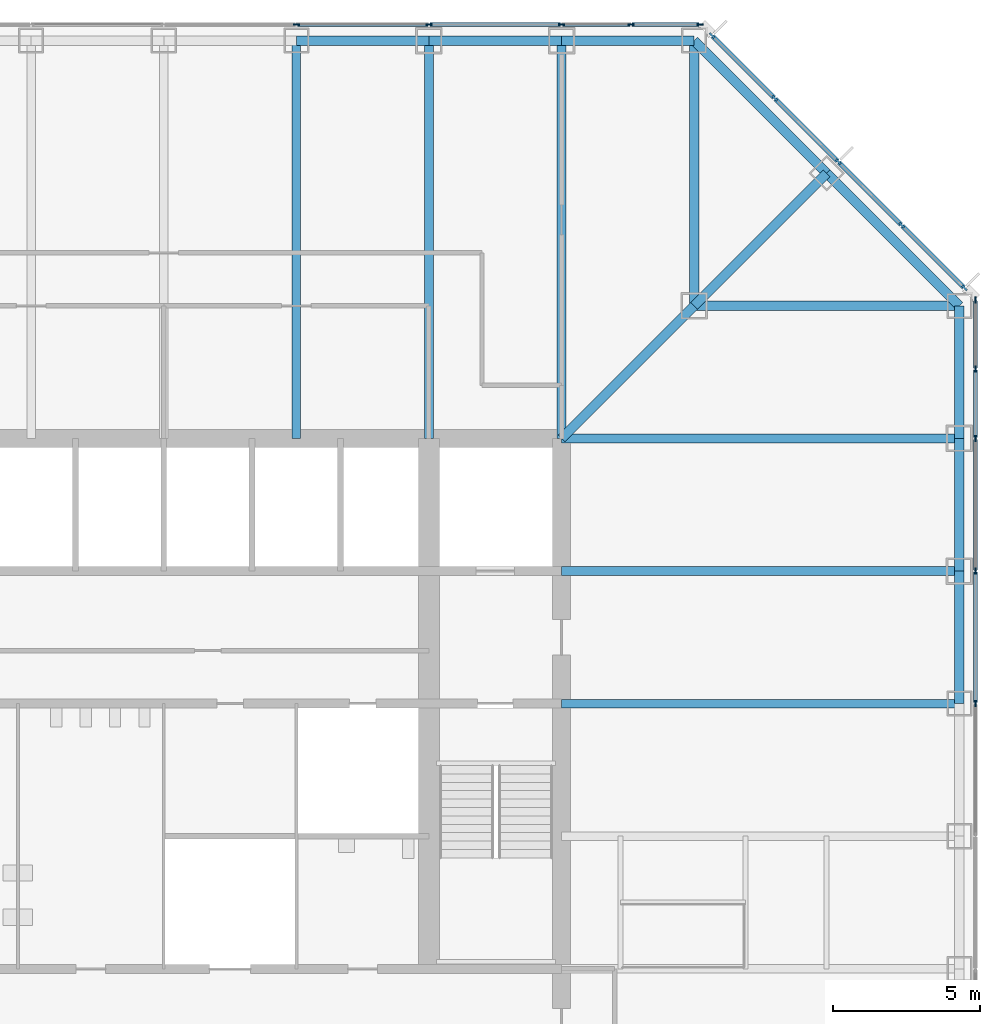
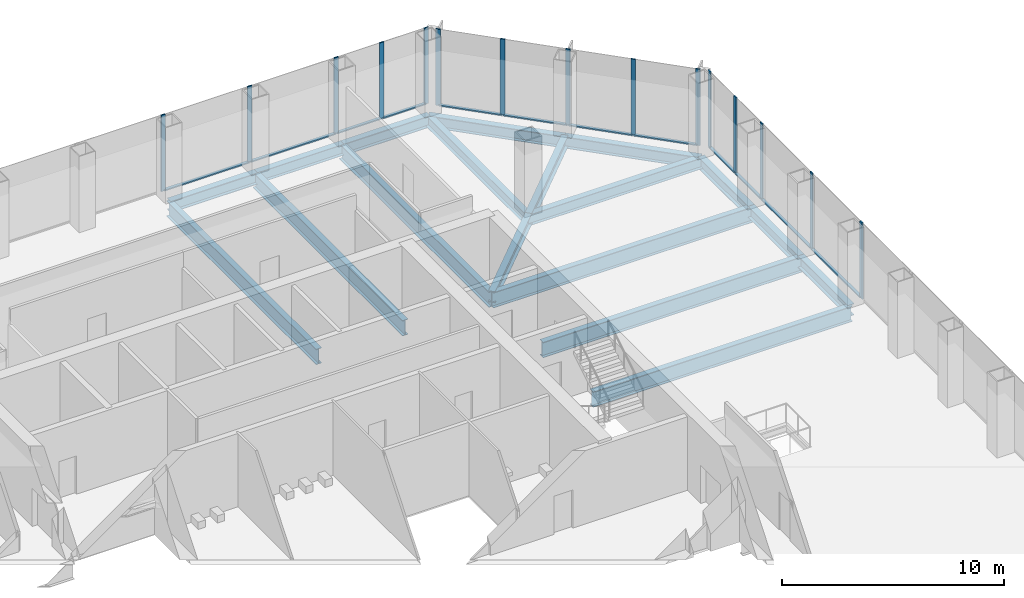
# One storey, part 6 of 12: 27 members, 18 beams, 3 elements without a shape of their own.
"""IFC4 building model written with IfcOpenShell, lengths in metres."""

from ifc_helpers import new_model, si_unit, direction, frame, origin, origin_2d, place, context, subcontext, project, spatial, rectangle, i_section, extrude, material, material_profile, profile_set, type_object, element, aggregate, save


model = new_model("IFC4")

# Units and contexts
model_context = context("Model", 3, precision=1e-05, world=origin(), true_north=direction((0.0, 1.0)))
body_context = subcontext(model_context, "Body", "Model", "MODEL_VIEW")
ifc_project = project(units=[si_unit("LENGTHUNIT", "METRE"), si_unit("AREAUNIT", "SQUARE_METRE"), si_unit("VOLUMEUNIT", "CUBIC_METRE"), si_unit("PLANEANGLEUNIT", "RADIAN"), si_unit("MASSUNIT", "GRAM", prefix="KILO")], contexts=[model_context])

# Site, building, storey
site_placement = place(None, origin())
site = spatial("IfcSite", under=ifc_project, at=site_placement, CompositionType="ELEMENT")
building_placement = place(site_placement, origin())
building = spatial("IfcBuilding", under=site, at=building_placement, Name="Corais Broadcast Tower", CompositionType="ELEMENT")
storey_placement = place(building_placement, frame((0.0, 0.0, 41.60009765625)))
storey = spatial("IfcBuildingStorey", under=building, at=storey_placement, Name="L08", CompositionType="ELEMENT", Elevation=41.60009765625)

# Beams
ifc_material_1 = material(Name="Steel ASTM A572 Grade 50", Category="steel")
ifc_material_profile_1 = material_profile(ifc_material_1, i_section(OverallWidth=0.323974609375, OverallDepth=0.611083984375, WebThickness=0.0126953125, FlangeThickness=0.01904296875, at=origin_2d()), Name="W610x155")
ifc_profile_set_1 = profile_set([ifc_material_profile_1], Name="Steel ASTM A572 Grade 50")
beam_type_1 = type_object("IfcBeamType", Name="Chamfer tie W610x155", PredefinedType="BEAM", material=ifc_profile_set_1)
beam_1_placement = place(storey_placement, frame((49.5, 49.5, -0.465576171875), z_axis=(-0.707106781187, -0.707106781187, 0.0), x_axis=(0.707106781187, -0.707106781187, 0.0)))
element("IfcBeam", 1, at=beam_1_placement, inside=storey, type_object=beam_type_1, Name="B5 M/14 to L/13", PredefinedType="BEAM", context=body_context, shape_type="SweptSolid", body=[
    extrude(i_section(OverallWidth=0.323974609375, OverallDepth=0.611083984375, WebThickness=0.0126953125, FlangeThickness=0.01904296875, at=origin_2d()), origin(), (0.0, 0.0, 1.0), 6.364013671875),
])
ifc_material_2 = material(Name="Steel ASTM A572 Grade 50", Category="steel")
ifc_material_profile_2 = material_profile(ifc_material_2, i_section(OverallWidth=0.323974609375, OverallDepth=0.611083984375, WebThickness=0.0126953125, FlangeThickness=0.01904296875, at=origin_2d()), Name="W610x155")
ifc_profile_set_2 = profile_set([ifc_material_profile_2], Name="Steel ASTM A572 Grade 50")
beam_type_2 = type_object("IfcBeamType", Name="Corner diagonal W610x155", PredefinedType="BEAM", material=ifc_profile_set_2)
beam_2_placement = place(storey_placement, frame((45.0, 45.0, -0.465576171875), z_axis=(-0.707106781187, -0.707106781187, 0.0), x_axis=(0.707106781187, -0.707106781187, 0.0)))
element("IfcBeam", 2, at=beam_2_placement, inside=storey, type_object=beam_type_2, Name="B6 L/13 to K/12", PredefinedType="BEAM", context=body_context, shape_type="SweptSolid", body=[
    extrude(i_section(OverallWidth=0.323974609375, OverallDepth=0.611083984375, WebThickness=0.0126953125, FlangeThickness=0.01904296875, at=origin_2d()), origin(), (0.0, 0.0, 1.0), 6.364013671875),
])
ifc_material_3 = material(Name="Steel ASTM A572 Grade 50", Category="steel")
ifc_material_profile_3 = material_profile(ifc_material_3, i_section(OverallWidth=0.323974609375, OverallDepth=0.611083984375, WebThickness=0.0126953125, FlangeThickness=0.01904296875, at=origin_2d()), Name="W610x155")
ifc_profile_set_3 = profile_set([ifc_material_profile_3], Name="Steel ASTM A572 Grade 50")
beam_type_3 = type_object("IfcBeamType", Name="Corner girder W610x155", PredefinedType="BEAM", material=ifc_profile_set_3)
for number, where, z_axis, x_axis, name in (
    (3, (45.0, 54.0, -0.465576171875), (0.0, -1.0, 0.0), (1.0, 0.0, 0.0), "B4 N/13 to L/13"),
    (4, (54.0, 45.0, -0.465576171875), (-1.0, 0.0, 0.0), (0.0, -1.0, 0.0), "B4 L/15 to L/13"),
):
    element("IfcBeam", number, at=place(storey_placement, frame(where, z_axis=z_axis, x_axis=x_axis)), inside=storey, type_object=beam_type_3, Name=name, PredefinedType="BEAM", context=body_context, shape_type="SweptSolid", body=[
        extrude(i_section(OverallWidth=0.323974609375, OverallDepth=0.611083984375, WebThickness=0.0126953125, FlangeThickness=0.01904296875, at=origin_2d()), origin(), (0.0, 0.0, 1.0), 9.0),
    ])
ifc_material_4 = material(Name="Steel ASTM A572 Grade 50", Category="steel")
ifc_material_profile_4 = material_profile(ifc_material_4, i_section(OverallWidth=0.2939453125, OverallDepth=0.85107421875, WebThickness=0.01611328125, FlangeThickness=0.02685546875, at=origin_2d()), Name="W840x226")
ifc_profile_set_4 = profile_set([ifc_material_profile_4], Name="Steel ASTM A572 Grade 50")
beam_type_4 = type_object("IfcBeamType", Name="Floor beam W840x226", PredefinedType="BEAM", material=ifc_profile_set_4)
for number, where, z_axis, x_axis, name in (
    (5, (31.5, 54.0, -0.585693359375), (0.0, -1.0, 0.0), (1.0, 0.0, 0.0), "B1 N/10 to K/10"),
    (6, (36.0, 54.0, -0.585693359375), (0.0, -1.0, 0.0), (1.0, 0.0, 0.0), "B1 N/11 to K/11"),
    (7, (40.5, 54.0, -0.585693359375), (0.0, -1.0, 0.0), (1.0, 0.0, 0.0), "B1 N/12 to K/12"),
    (8, (54.0, 31.5, -0.585693359375), (-1.0, 0.0, 0.0), (0.0, -1.0, 0.0), "B1 H/15 to H/12"),
    (9, (54.0, 36.0, -0.585693359375), (-1.0, 0.0, 0.0), (0.0, -1.0, 0.0), "B1 J/15 to J/12"),
    (10, (54.0, 40.5, -0.585693359375), (-1.0, 0.0, 0.0), (0.0, -1.0, 0.0), "B1 K/15 to K/12"),
):
    element("IfcBeam", number, at=place(storey_placement, frame(where, z_axis=z_axis, x_axis=x_axis)), inside=storey, type_object=beam_type_4, Name=name, PredefinedType="BEAM", context=body_context, shape_type="SweptSolid", body=[
        extrude(i_section(OverallWidth=0.2939453125, OverallDepth=0.85107421875, WebThickness=0.01611328125, FlangeThickness=0.02685546875, at=origin_2d()), origin(), (0.0, 0.0, 1.0), 13.5),
    ])

# Curtain wall, members
ifc_material_5 = material(Name="Aluminium and glass", Category="aluminium")
curtain_wall_type = type_object("IfcCurtainWallType", Name="Newsroom clear-glass curtain wall CW7", PredefinedType="NOTDEFINED", material=ifc_material_5)
curtain_wall_1_placement = place(storey_placement, origin())
curtain_wall_1 = element("IfcCurtainWall", 11, at=curtain_wall_1_placement, inside=storey, type_object=curtain_wall_type, Name="CW7 curtain wall L08 4", PredefinedType="NOTDEFINED")
ifc_material_6 = material(Name="Aluminium 6063-T6", Category="aluminium")
ifc_material_profile_5 = material_profile(ifc_material_6, rectangle(XDim=0.06494140625, YDim=0.219970703125, at=origin_2d()), Name="Mullion CW7 65x220")
ifc_profile_set_5 = profile_set([ifc_material_profile_5], Name="Aluminium 6063-T6")
member_type_1 = type_object("IfcMemberType", Name="Mullion CW7 65x220", PredefinedType="MULLION", material=ifc_profile_set_5)
member_1_placement = place(storey_placement, frame((31.5, 54.550048828125, 0.0), z_axis=(0.0, 0.0, 1.0), x_axis=(0.0, 1.0, 0.0)))
member_1 = element("IfcMember", 12, at=member_1_placement, type_object=member_type_1, Name="CW7 mullion 7", PredefinedType="MULLION", context=body_context, shape_type="SweptSolid", body=[
    extrude(rectangle(XDim=0.06494140625, YDim=0.219970703125, at=origin_2d()), origin(), (0.0, 0.0, 1.0), 4.199951171875),
])
member_2_placement = place(storey_placement, frame((36.0, 54.550048828125, 0.0), z_axis=(0.0, 0.0, 1.0), x_axis=(0.0, 1.0, 0.0)))
member_2 = element("IfcMember", 13, at=member_2_placement, type_object=member_type_1, Name="CW7 mullion 8", PredefinedType="MULLION", context=body_context, shape_type="SweptSolid", body=[
    extrude(rectangle(XDim=0.06494140625, YDim=0.219970703125, at=origin_2d()), origin(), (0.0, 0.0, 1.0), 4.199951171875),
])
member_3_placement = place(storey_placement, frame((40.5, 54.550048828125, 0.0), z_axis=(0.0, 0.0, 1.0), x_axis=(0.0, 1.0, 0.0)))
member_3 = element("IfcMember", 14, at=member_3_placement, type_object=member_type_1, Name="CW7 mullion 9", PredefinedType="MULLION", context=body_context, shape_type="SweptSolid", body=[
    extrude(rectangle(XDim=0.06494140625, YDim=0.219970703125, at=origin_2d()), origin(), (0.0, 0.0, 1.0), 4.199951171875),
])
member_4_placement = place(storey_placement, frame((42.864013671875, 54.550048828125, 0.0), z_axis=(0.0, 0.0, 1.0), x_axis=(0.0, 1.0, 0.0)))
member_4 = element("IfcMember", 15, at=member_4_placement, type_object=member_type_1, Name="CW7 mullion 10", PredefinedType="MULLION", context=body_context, shape_type="SweptSolid", body=[
    extrude(rectangle(XDim=0.06494140625, YDim=0.219970703125, at=origin_2d()), origin(), (0.0, 0.0, 1.0), 4.199951171875),
])
member_5_placement = place(storey_placement, frame((45.1953125, 54.550048828125, 0.0), z_axis=(0.0, 0.0, 1.0), x_axis=(0.0, 1.0, 0.0)))
member_5 = element("IfcMember", 16, at=member_5_placement, type_object=member_type_1, Name="CW7 mullion 11", PredefinedType="MULLION", context=body_context, shape_type="SweptSolid", body=[
    extrude(rectangle(XDim=0.06494140625, YDim=0.219970703125, at=origin_2d()), origin(), (0.0, 0.0, 1.0), 4.199951171875),
])

curtain_wall_2_placement = place(storey_placement, origin())
curtain_wall_2 = element("IfcCurtainWall", 17, at=curtain_wall_2_placement, inside=storey, type_object=curtain_wall_type, Name="CW7 curtain wall L08 5", PredefinedType="NOTDEFINED")
member_6_placement = place(storey_placement, frame((45.6044921875, 54.17333984375, 0.0), z_axis=(0.0, 0.0, 1.0), x_axis=(0.707106781187, 0.707106781187, 0.0)))
member_6 = element("IfcMember", 18, at=member_6_placement, type_object=member_type_1, Name="CW7 mullion 1", PredefinedType="MULLION", context=body_context, shape_type="SweptSolid", body=[
    extrude(rectangle(XDim=0.06494140625, YDim=0.219970703125, at=origin_2d()), origin(), (0.0, 0.0, 1.0), 4.199951171875),
])
member_7_placement = place(storey_placement, frame((47.735107421875, 52.042724609375, 0.0), z_axis=(0.0, 0.0, 1.0), x_axis=(0.707106781187, 0.707106781187, 0.0)))
member_7 = element("IfcMember", 19, at=member_7_placement, type_object=member_type_1, Name="CW7 mullion 2", PredefinedType="MULLION", context=body_context, shape_type="SweptSolid", body=[
    extrude(rectangle(XDim=0.06494140625, YDim=0.219970703125, at=origin_2d()), origin(), (0.0, 0.0, 1.0), 4.199951171875),
])
member_8_placement = place(storey_placement, frame((49.888916015625, 49.888916015625, 0.0), z_axis=(0.0, 0.0, 1.0), x_axis=(0.707106781187, 0.707106781187, 0.0)))
member_8 = element("IfcMember", 20, at=member_8_placement, type_object=member_type_1, Name="CW7 mullion 3", PredefinedType="MULLION", context=body_context, shape_type="SweptSolid", body=[
    extrude(rectangle(XDim=0.06494140625, YDim=0.219970703125, at=origin_2d()), origin(), (0.0, 0.0, 1.0), 4.199951171875),
])
member_9_placement = place(storey_placement, frame((52.042724609375, 47.735107421875, 0.0), z_axis=(0.0, 0.0, 1.0), x_axis=(0.707106781187, 0.707106781187, 0.0)))
member_9 = element("IfcMember", 21, at=member_9_placement, type_object=member_type_1, Name="CW7 mullion 4", PredefinedType="MULLION", context=body_context, shape_type="SweptSolid", body=[
    extrude(rectangle(XDim=0.06494140625, YDim=0.219970703125, at=origin_2d()), origin(), (0.0, 0.0, 1.0), 4.199951171875),
])
member_10_placement = place(storey_placement, frame((54.17333984375, 45.6044921875, 0.0), z_axis=(0.0, 0.0, 1.0), x_axis=(0.707106781187, 0.707106781187, 0.0)))
member_10 = element("IfcMember", 22, at=member_10_placement, type_object=member_type_1, Name="CW7 mullion 5", PredefinedType="MULLION", context=body_context, shape_type="SweptSolid", body=[
    extrude(rectangle(XDim=0.06494140625, YDim=0.219970703125, at=origin_2d()), origin(), (0.0, 0.0, 1.0), 4.199951171875),
])

curtain_wall_3_placement = place(storey_placement, origin())
curtain_wall_3 = element("IfcCurtainWall", 23, at=curtain_wall_3_placement, inside=storey, type_object=curtain_wall_type, Name="CW7 curtain wall L08 6", PredefinedType="NOTDEFINED")
member_11_placement = place(storey_placement, frame((54.550048828125, 45.1953125, 0.0), z_axis=(0.0, 0.0, 1.0), x_axis=(1.0, 0.0, 0.0)))
member_11 = element("IfcMember", 24, at=member_11_placement, type_object=member_type_1, Name="CW7 mullion 1", PredefinedType="MULLION", context=body_context, shape_type="SweptSolid", body=[
    extrude(rectangle(XDim=0.06494140625, YDim=0.219970703125, at=origin_2d()), origin(), (0.0, 0.0, 1.0), 4.199951171875),
])
member_12_placement = place(storey_placement, frame((54.550048828125, 42.864013671875, 0.0), z_axis=(0.0, 0.0, 1.0), x_axis=(1.0, 0.0, 0.0)))
member_12 = element("IfcMember", 25, at=member_12_placement, type_object=member_type_1, Name="CW7 mullion 2", PredefinedType="MULLION", context=body_context, shape_type="SweptSolid", body=[
    extrude(rectangle(XDim=0.06494140625, YDim=0.219970703125, at=origin_2d()), origin(), (0.0, 0.0, 1.0), 4.199951171875),
])
member_13_placement = place(storey_placement, frame((54.550048828125, 40.5, 0.0), z_axis=(0.0, 0.0, 1.0), x_axis=(1.0, 0.0, 0.0)))
member_13 = element("IfcMember", 26, at=member_13_placement, type_object=member_type_1, Name="CW7 mullion 3", PredefinedType="MULLION", context=body_context, shape_type="SweptSolid", body=[
    extrude(rectangle(XDim=0.06494140625, YDim=0.219970703125, at=origin_2d()), origin(), (0.0, 0.0, 1.0), 4.199951171875),
])
member_14_placement = place(storey_placement, frame((54.550048828125, 36.0, 0.0), z_axis=(0.0, 0.0, 1.0), x_axis=(1.0, 0.0, 0.0)))
member_14 = element("IfcMember", 27, at=member_14_placement, type_object=member_type_1, Name="CW7 mullion 4", PredefinedType="MULLION", context=body_context, shape_type="SweptSolid", body=[
    extrude(rectangle(XDim=0.06494140625, YDim=0.219970703125, at=origin_2d()), origin(), (0.0, 0.0, 1.0), 4.199951171875),
])
member_15_placement = place(storey_placement, frame((54.550048828125, 31.5, 0.0), z_axis=(0.0, 0.0, 1.0), x_axis=(1.0, 0.0, 0.0)))
member_15 = element("IfcMember", 28, at=member_15_placement, type_object=member_type_1, Name="CW7 mullion 5", PredefinedType="MULLION", context=body_context, shape_type="SweptSolid", body=[
    extrude(rectangle(XDim=0.06494140625, YDim=0.219970703125, at=origin_2d()), origin(), (0.0, 0.0, 1.0), 4.199951171875),
])

# Beams
ifc_material_7 = material(Name="Steel ASTM A572 Grade 50", Category="steel")
ifc_material_profile_6 = material_profile(ifc_material_7, i_section(OverallWidth=0.323974609375, OverallDepth=0.611083984375, WebThickness=0.0126953125, FlangeThickness=0.01904296875, at=origin_2d()), Name="W610x155")
ifc_profile_set_6 = profile_set([ifc_material_profile_6], Name="Steel ASTM A572 Grade 50")
beam_type_5 = type_object("IfcBeamType", Name="Pinned spandrel W610x155", PredefinedType="BEAM", material=ifc_profile_set_6)
for number, where, z_axis, x_axis, name in (
    (29, (40.5, 54.0, -0.465576171875), (-1.0, 0.0, 0.0), (0.0, -1.0, 0.0), "SB6 N/12 to N/11"),
    (30, (54.0, 36.0, -0.465576171875), (0.0, 1.0, 0.0), (-1.0, 0.0, 0.0), "SB6 J/15 to K/15"),
):
    element("IfcBeam", number, at=place(storey_placement, frame(where, z_axis=z_axis, x_axis=x_axis)), inside=storey, type_object=beam_type_5, Name=name, PredefinedType="BEAM", context=body_context, shape_type="SweptSolid", body=[
        extrude(i_section(OverallWidth=0.323974609375, OverallDepth=0.611083984375, WebThickness=0.0126953125, FlangeThickness=0.01904296875, at=origin_2d()), origin(), (0.0, 0.0, 1.0), 4.5),
    ])
ifc_material_8 = material(Name="Steel ASTM A572 Grade 50", Category="steel")
ifc_material_profile_7 = material_profile(ifc_material_8, i_section(OverallWidth=0.3291015625, OverallDepth=0.635009765625, WebThickness=0.017822265625, FlangeThickness=0.031005859375, at=origin_2d()), Name="W610x241")
ifc_profile_set_7 = profile_set([ifc_material_profile_7], Name="Steel ASTM A572 Grade 50")
beam_type_6 = type_object("IfcBeamType", Name="Spandrel W610x241", PredefinedType="BEAM", material=ifc_profile_set_7)
for number, where, z_axis, x_axis, name in (
    (31, (36.0, 54.0, -0.4775390625), (-1.0, 0.0, 0.0), (0.0, -1.0, 0.0), "SB1 N/11 to N/10"),
    (32, (45.0, 54.0, -0.4775390625), (-1.0, 0.0, 0.0), (0.0, -1.0, 0.0), "SB1 N/13 to N/12"),
):
    element("IfcBeam", number, at=place(storey_placement, frame(where, z_axis=z_axis, x_axis=x_axis)), inside=storey, type_object=beam_type_6, Name=name, PredefinedType="BEAM", context=body_context, shape_type="SweptSolid", body=[
        extrude(i_section(OverallWidth=0.3291015625, OverallDepth=0.635009765625, WebThickness=0.017822265625, FlangeThickness=0.031005859375, at=origin_2d()), origin(), (0.0, 0.0, 1.0), 4.5),
    ])
beam_3_placement = place(storey_placement, frame((49.5, 49.5, -0.4775390625), z_axis=(-0.707106781187, 0.707106781187, 0.0), x_axis=(-0.707106781187, -0.707106781187, 0.0)))
element("IfcBeam", 33, at=beam_3_placement, inside=storey, type_object=beam_type_6, Name="SB1 M/14 to N/13", PredefinedType="BEAM", context=body_context, shape_type="SweptSolid", body=[
    extrude(i_section(OverallWidth=0.3291015625, OverallDepth=0.635009765625, WebThickness=0.017822265625, FlangeThickness=0.031005859375, at=origin_2d()), origin(), (0.0, 0.0, 1.0), 6.364013671875),
])
for number, where, z_axis, x_axis, name in (
    (34, (54.0, 31.5, -0.4775390625), (0.0, 1.0, 0.0), (-1.0, 0.0, 0.0), "SB1 H/15 to J/15"),
    (35, (54.0, 40.5, -0.4775390625), (0.0, 1.0, 0.0), (-1.0, 0.0, 0.0), "SB1 K/15 to L/15"),
):
    element("IfcBeam", number, at=place(storey_placement, frame(where, z_axis=z_axis, x_axis=x_axis)), inside=storey, type_object=beam_type_6, Name=name, PredefinedType="BEAM", context=body_context, shape_type="SweptSolid", body=[
        extrude(i_section(OverallWidth=0.3291015625, OverallDepth=0.635009765625, WebThickness=0.017822265625, FlangeThickness=0.031005859375, at=origin_2d()), origin(), (0.0, 0.0, 1.0), 4.5),
    ])
beam_4_placement = place(storey_placement, frame((54.0, 45.0, -0.4775390625), z_axis=(-0.707106781187, 0.707106781187, 0.0), x_axis=(-0.707106781187, -0.707106781187, 0.0)))
element("IfcBeam", 36, at=beam_4_placement, inside=storey, type_object=beam_type_6, Name="SB1 L/15 to M/14", PredefinedType="BEAM", context=body_context, shape_type="SweptSolid", body=[
    extrude(i_section(OverallWidth=0.3291015625, OverallDepth=0.635009765625, WebThickness=0.017822265625, FlangeThickness=0.031005859375, at=origin_2d()), origin(), (0.0, 0.0, 1.0), 6.364013671875),
])

# Member
ifc_material_9 = material(Name="Aluminium 6063-T6", Category="aluminium")
ifc_material_profile_8 = material_profile(ifc_material_9, rectangle(XDim=0.14990234375, YDim=0.06494140625, at=origin_2d()), Name="Transom CW7 65x150")
ifc_profile_set_8 = profile_set([ifc_material_profile_8], Name="Aluminium 6063-T6")
member_type_2 = type_object("IfcMemberType", Name="Transom CW7 65x150", PredefinedType="USERDEFINED", material=ifc_profile_set_8)
member_16_placement = place(storey_placement, frame((31.532470703125, 54.550048828125, 0.032470703125), z_axis=(1.0, 0.0, 0.0), x_axis=(0.0, 1.0, 0.0)))
member_16 = element("IfcMember", 37, at=member_16_placement, type_object=member_type_2, Name="CW7 transom 7.1", ObjectType="TRANSOM", PredefinedType="USERDEFINED", context=body_context, shape_type="SweptSolid", body=[
    extrude(rectangle(XDim=0.14990234375, YDim=0.06494140625, at=origin_2d()), origin(), (0.0, 0.0, 1.0), 4.43505859375),
])

member_17_placement = place(storey_placement, frame((36.032470703125, 54.550048828125, 0.032470703125), z_axis=(1.0, 0.0, 0.0), x_axis=(0.0, 1.0, 0.0)))
member_17 = element("IfcMember", 38, at=member_17_placement, type_object=member_type_2, Name="CW7 transom 8.1", ObjectType="TRANSOM", PredefinedType="USERDEFINED", context=body_context, shape_type="SweptSolid", body=[
    extrude(rectangle(XDim=0.14990234375, YDim=0.06494140625, at=origin_2d()), origin(), (0.0, 0.0, 1.0), 4.43505859375),
])

member_18_placement = place(storey_placement, frame((40.532470703125, 54.550048828125, 0.032470703125), z_axis=(1.0, 0.0, 0.0), x_axis=(0.0, 1.0, 0.0)))
member_18 = element("IfcMember", 39, at=member_18_placement, type_object=member_type_2, Name="CW7 transom 9.1", ObjectType="TRANSOM", PredefinedType="USERDEFINED", context=body_context, shape_type="SweptSolid", body=[
    extrude(rectangle(XDim=0.14990234375, YDim=0.06494140625, at=origin_2d()), origin(), (0.0, 0.0, 1.0), 2.298828125),
])

member_19_placement = place(storey_placement, frame((42.896484375, 54.550048828125, 0.032470703125), z_axis=(1.0, 0.0, 0.0), x_axis=(0.0, 1.0, 0.0)))
member_19 = element("IfcMember", 40, at=member_19_placement, type_object=member_type_2, Name="CW7 transom 10.1", ObjectType="TRANSOM", PredefinedType="USERDEFINED", context=body_context, shape_type="SweptSolid", body=[
    extrude(rectangle(XDim=0.14990234375, YDim=0.06494140625, at=origin_2d()), origin(), (0.0, 0.0, 1.0), 2.266357421875),
])

aggregate(curtain_wall_1, [member_1, member_2, member_3, member_4, member_5, member_16, member_17, member_18, member_19])

member_20_placement = place(storey_placement, frame((45.62744140625, 54.150390625, 0.032470703125), z_axis=(0.707106781187, -0.707106781187, 0.0), x_axis=(0.707106781187, 0.707106781187, 0.0)))
member_20 = element("IfcMember", 41, at=member_20_placement, type_object=member_type_2, Name="CW7 transom 1.1", ObjectType="TRANSOM", PredefinedType="USERDEFINED", context=body_context, shape_type="SweptSolid", body=[
    extrude(rectangle(XDim=0.14990234375, YDim=0.06494140625, at=origin_2d()), origin(), (0.0, 0.0, 1.0), 2.9482421875),
])

member_21_placement = place(storey_placement, frame((47.758056640625, 52.019775390625, 0.032470703125), z_axis=(0.707106781187, -0.707106781187, 0.0), x_axis=(0.707106781187, 0.707106781187, 0.0)))
member_21 = element("IfcMember", 42, at=member_21_placement, type_object=member_type_2, Name="CW7 transom 2.1", ObjectType="TRANSOM", PredefinedType="USERDEFINED", context=body_context, shape_type="SweptSolid", body=[
    extrude(rectangle(XDim=0.14990234375, YDim=0.06494140625, at=origin_2d()), origin(), (0.0, 0.0, 1.0), 2.98095703125),
])

member_22_placement = place(storey_placement, frame((49.911865234375, 49.865966796875, 0.032470703125), z_axis=(0.707106781187, -0.707106781187, 0.0), x_axis=(0.707106781187, 0.707106781187, 0.0)))
member_22 = element("IfcMember", 43, at=member_22_placement, type_object=member_type_2, Name="CW7 transom 3.1", ObjectType="TRANSOM", PredefinedType="USERDEFINED", context=body_context, shape_type="SweptSolid", body=[
    extrude(rectangle(XDim=0.14990234375, YDim=0.06494140625, at=origin_2d()), origin(), (0.0, 0.0, 1.0), 2.98095703125),
])

member_23_placement = place(storey_placement, frame((52.065673828125, 47.712158203125, 0.032470703125), z_axis=(0.707106781187, -0.707106781187, 0.0), x_axis=(0.707106781187, 0.707106781187, 0.0)))
member_23 = element("IfcMember", 44, at=member_23_placement, type_object=member_type_2, Name="CW7 transom 4.1", ObjectType="TRANSOM", PredefinedType="USERDEFINED", context=body_context, shape_type="SweptSolid", body=[
    extrude(rectangle(XDim=0.14990234375, YDim=0.06494140625, at=origin_2d()), origin(), (0.0, 0.0, 1.0), 2.9482421875),
])

aggregate(curtain_wall_2, [member_6, member_7, member_8, member_9, member_10, member_20, member_21, member_22, member_23])

member_24_placement = place(storey_placement, frame((54.550048828125, 45.162841796875, 0.032470703125), z_axis=(0.0, -1.0, 0.0), x_axis=(1.0, 0.0, 0.0)))
member_24 = element("IfcMember", 45, at=member_24_placement, type_object=member_type_2, Name="CW7 transom 1.1", ObjectType="TRANSOM", PredefinedType="USERDEFINED", context=body_context, shape_type="SweptSolid", body=[
    extrude(rectangle(XDim=0.14990234375, YDim=0.06494140625, at=origin_2d()), origin(), (0.0, 0.0, 1.0), 2.266357421875),
])

member_25_placement = place(storey_placement, frame((54.550048828125, 42.831298828125, 0.032470703125), z_axis=(0.0, -1.0, 0.0), x_axis=(1.0, 0.0, 0.0)))
member_25 = element("IfcMember", 46, at=member_25_placement, type_object=member_type_2, Name="CW7 transom 2.1", ObjectType="TRANSOM", PredefinedType="USERDEFINED", context=body_context, shape_type="SweptSolid", body=[
    extrude(rectangle(XDim=0.14990234375, YDim=0.06494140625, at=origin_2d()), origin(), (0.0, 0.0, 1.0), 2.298828125),
])

member_26_placement = place(storey_placement, frame((54.550048828125, 40.467529296875, 0.032470703125), z_axis=(0.0, -1.0, 0.0), x_axis=(1.0, 0.0, 0.0)))
member_26 = element("IfcMember", 47, at=member_26_placement, type_object=member_type_2, Name="CW7 transom 3.1", ObjectType="TRANSOM", PredefinedType="USERDEFINED", context=body_context, shape_type="SweptSolid", body=[
    extrude(rectangle(XDim=0.14990234375, YDim=0.06494140625, at=origin_2d()), origin(), (0.0, 0.0, 1.0), 4.43505859375),
])

member_27_placement = place(storey_placement, frame((54.550048828125, 35.967529296875, 0.032470703125), z_axis=(0.0, -1.0, 0.0), x_axis=(1.0, 0.0, 0.0)))
member_27 = element("IfcMember", 48, at=member_27_placement, type_object=member_type_2, Name="CW7 transom 4.1", ObjectType="TRANSOM", PredefinedType="USERDEFINED", context=body_context, shape_type="SweptSolid", body=[
    extrude(rectangle(XDim=0.14990234375, YDim=0.06494140625, at=origin_2d()), origin(), (0.0, 0.0, 1.0), 4.43505859375),
])

aggregate(curtain_wall_3, [member_11, member_12, member_13, member_14, member_15, member_24, member_25, member_26, member_27])

save(model, "model.ifc")
